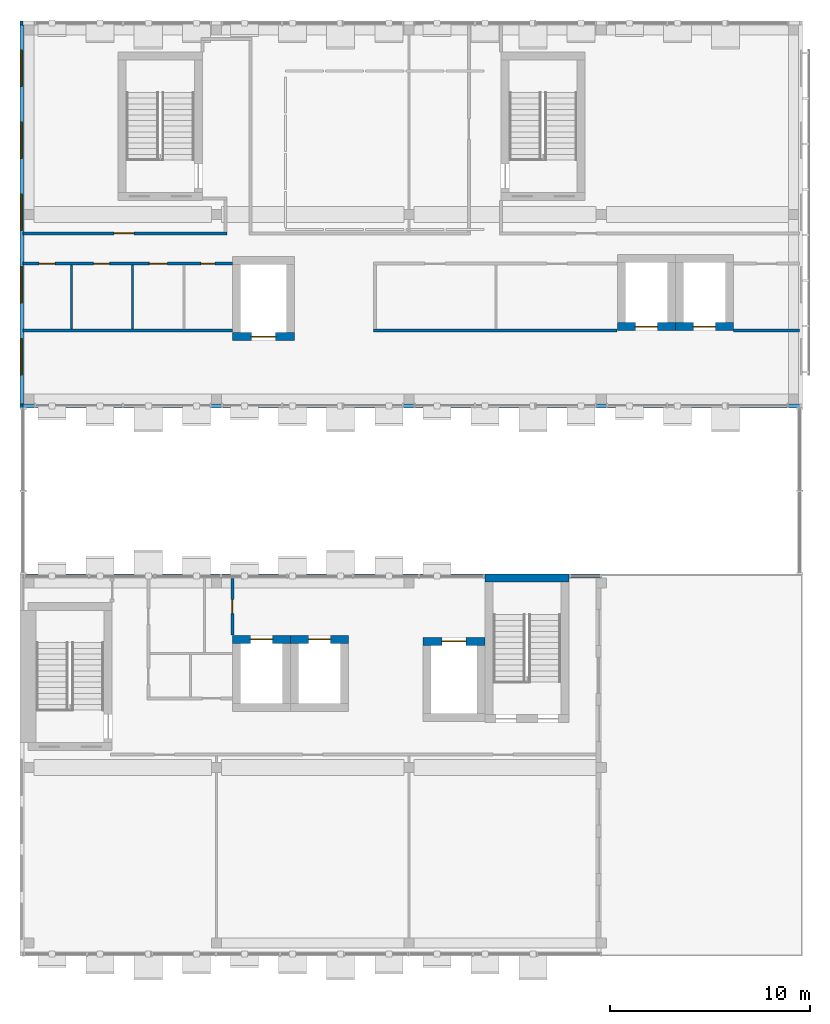
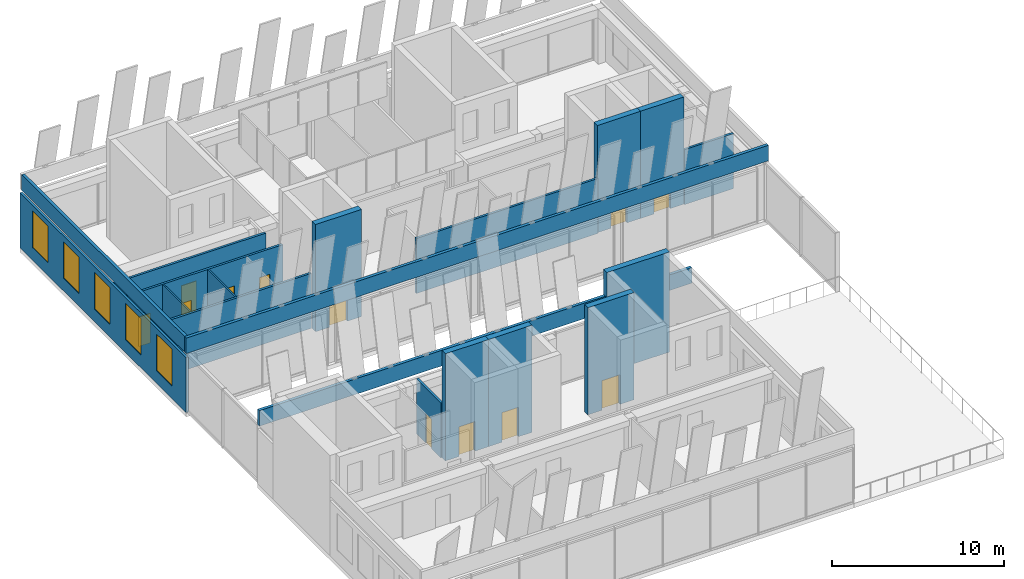
# One storey, part 18 of 26: 20 walls, 12 doors, 5 windows, 17 openings.
"""IFC4 building model written with IfcOpenShell, lengths in metres."""

from ifc_helpers import new_model, si_unit, direction, frame, frame_2d, origin, place, context, subcontext, project, spatial, rectangle, extrude, material, layer, layer_set, layer_usage, type_object, element, fill, save


model = new_model("IFC4")

# Units and contexts
model_context = context("Model", 3, precision=1e-05, world=origin(), true_north=direction((0.0, 1.0)))
body_context = subcontext(model_context, "Body", "Model", "MODEL_VIEW")
ifc_project = project(units=[si_unit("LENGTHUNIT", "METRE"), si_unit("AREAUNIT", "SQUARE_METRE"), si_unit("VOLUMEUNIT", "CUBIC_METRE"), si_unit("PLANEANGLEUNIT", "RADIAN"), si_unit("MASSUNIT", "GRAM", prefix="KILO")], contexts=[model_context])

# Site, building, storey
site_placement = place(None, origin())
site = spatial("IfcSite", under=ifc_project, at=site_placement, CompositionType="ELEMENT")
building_placement = place(site_placement, origin())
building = spatial("IfcBuilding", under=site, at=building_placement, Name="Nzadi Deep Aquarium and Research Tower", CompositionType="ELEMENT")
storey_placement = place(building_placement, frame((0.0, 0.0, 78.10009765625)))
storey = spatial("IfcBuildingStorey", under=building, at=storey_placement, Name="L16", CompositionType="ELEMENT", Elevation=78.10009765625)

# Wall, openings, windows
ifc_material_1 = material(Name="Graphite aluminium shingle", Category="aluminium")
ifc_layer_1 = layer(ifc_material_1, 0.0400390625, Category="cladding")
ifc_material_2 = material(Name="Concrete C35/45", Category="concrete")
ifc_layer_2 = layer(ifc_material_2, 0.06005859375, Category="cladding")
ifc_material_3 = material(Name="Mineral wool insulation")
ifc_layer_3 = layer(ifc_material_3, 0.050048828125, Category="insulation")
ifc_layer_set_1 = layer_set([ifc_layer_1, ifc_layer_2, ifc_layer_3], Name="Graphite aluminium shingle, Concrete C35/45, Mineral wool insulation")
ifc_layer_usage_1 = layer_usage(ifc_layer_set_1, "AXIS2", "POSITIVE", -0.074951171875)
wall_type_1 = type_object("IfcWallType", Name="End wall shingle over board-formed concrete 150", PredefinedType="ELEMENTEDWALL", material=ifc_layer_set_1)
wall_1_placement = place(storey_placement, frame((-0.12451171875, 46.449951171875, 0.0), z_axis=(0.0, 0.0, 1.0), x_axis=(0.0, -1.0, 0.0)))
wall_1 = element("IfcWall", 1, at=wall_1_placement, inside=storey, type_object=wall_type_1, material=ifc_layer_usage_1, Name="End wall blade B west L16", PredefinedType="ELEMENTEDWALL", context=body_context, shape_type="SweptSolid", body=[
    extrude(rectangle(XDim=19.300048828125, YDim=0.14990234375, at=frame_2d((9.64990234375, 0.0))), origin(), (0.0, 0.0, 1.0), 3.89990234375),
])
opening_1_placement = place(wall_1_placement, frame((15.85009765625, 0.0, 0.89990234375)))
opening_1 = element("IfcOpeningElement", 2, at=opening_1_placement, cuts=wall_1, Name="Opening WN01", PredefinedType="OPENING", context=body_context, shape_type="SweptSolid", body=[
    extrude(rectangle(XDim=1.800048828125, YDim=2.60009765625, at=frame_2d((0.89990234375, 1.300048828125))), frame((0.0, 0.0849609375, 0.0), z_axis=(0.0, -1.0, 0.0), x_axis=(1.0, 0.0, 0.0)), (0.0, 0.0, 1.0), 0.169921875),
])
opening_2_placement = place(wall_1_placement, frame((12.25, 0.0, 0.89990234375)))
opening_2 = element("IfcOpeningElement", 3, at=opening_2_placement, cuts=wall_1, Name="Opening WN01", PredefinedType="OPENING", context=body_context, shape_type="SweptSolid", body=[
    extrude(rectangle(XDim=1.800048828125, YDim=2.60009765625, at=frame_2d((0.89990234375, 1.300048828125))), frame((0.0, 0.0849609375, 0.0), z_axis=(0.0, -1.0, 0.0), x_axis=(1.0, 0.0, 0.0)), (0.0, 0.0, 1.0), 0.169921875),
])
opening_3_placement = place(wall_1_placement, frame((8.64990234375, 0.0, 0.89990234375)))
opening_3 = element("IfcOpeningElement", 4, at=opening_3_placement, cuts=wall_1, Name="Opening WN01", PredefinedType="OPENING", context=body_context, shape_type="SweptSolid", body=[
    extrude(rectangle(XDim=1.800048828125, YDim=2.60009765625, at=frame_2d((0.89990234375, 1.300048828125))), frame((0.0, 0.0849609375, 0.0), z_axis=(0.0, -1.0, 0.0), x_axis=(1.0, 0.0, 0.0)), (0.0, 0.0, 1.0), 0.169921875),
])
opening_4_placement = place(wall_1_placement, frame((5.050048828125, 0.0, 0.89990234375)))
opening_4 = element("IfcOpeningElement", 5, at=opening_4_placement, cuts=wall_1, Name="Opening WN01", PredefinedType="OPENING", context=body_context, shape_type="SweptSolid", body=[
    extrude(rectangle(XDim=1.800048828125, YDim=2.60009765625, at=frame_2d((0.89990234375, 1.300048828125))), frame((0.0, 0.0849609375, 0.0), z_axis=(0.0, -1.0, 0.0), x_axis=(1.0, 0.0, 0.0)), (0.0, 0.0, 1.0), 0.169921875),
])
opening_5_placement = place(wall_1_placement, frame((1.449951171875, 0.0, 0.89990234375)))
opening_5 = element("IfcOpeningElement", 6, at=opening_5_placement, cuts=wall_1, Name="Opening WN01", PredefinedType="OPENING", context=body_context, shape_type="SweptSolid", body=[
    extrude(rectangle(XDim=1.800048828125, YDim=2.60009765625, at=frame_2d((0.89990234375, 1.300048828125))), frame((0.0, 0.0849609375, 0.0), z_axis=(0.0, -1.0, 0.0), x_axis=(1.0, 0.0, 0.0)), (0.0, 0.0, 1.0), 0.169921875),
])
ifc_material_4 = material(Name="Aluminium window, sage tint glazing", Category="aluminium")
window_type = type_object("IfcWindowType", Name="Slot window 1800x2600 sill 900", PartitioningType="SINGLE_PANEL", PredefinedType="WINDOW", material=ifc_material_4)
window_1_placement = place(opening_1_placement, origin())
window_1 = element("IfcWindow", 7, at=window_1_placement, inside=storey, type_object=window_type, Name="Slot window L16 BW", OverallHeight=2.60009765625, OverallWidth=1.800048828125, PartitioningType="SINGLE_PANEL", PredefinedType="WINDOW", context=body_context, shape_type="SweptSolid", body=[
    extrude(rectangle(XDim=1.800048828125, YDim=2.60009765625, at=frame_2d((0.89990234375, 1.300048828125))), frame((0.0, 0.030029296875, 0.0), z_axis=(0.0, -1.0, 0.0), x_axis=(1.0, 0.0, 0.0)), (0.0, 0.0, 1.0), 0.06005859375),
])
fill(opening_1, window_1)
window_2_placement = place(opening_2_placement, origin())
window_2 = element("IfcWindow", 8, at=window_2_placement, inside=storey, type_object=window_type, Name="Slot window L16 BW", OverallHeight=2.60009765625, OverallWidth=1.800048828125, PartitioningType="SINGLE_PANEL", PredefinedType="WINDOW", context=body_context, shape_type="SweptSolid", body=[
    extrude(rectangle(XDim=1.800048828125, YDim=2.60009765625, at=frame_2d((0.89990234375, 1.300048828125))), frame((0.0, 0.030029296875, 0.0), z_axis=(0.0, -1.0, 0.0), x_axis=(1.0, 0.0, 0.0)), (0.0, 0.0, 1.0), 0.06005859375),
])
fill(opening_2, window_2)
window_3_placement = place(opening_3_placement, origin())
window_3 = element("IfcWindow", 9, at=window_3_placement, inside=storey, type_object=window_type, Name="Slot window L16 BW", OverallHeight=2.60009765625, OverallWidth=1.800048828125, PartitioningType="SINGLE_PANEL", PredefinedType="WINDOW", context=body_context, shape_type="SweptSolid", body=[
    extrude(rectangle(XDim=1.800048828125, YDim=2.60009765625, at=frame_2d((0.89990234375, 1.300048828125))), frame((0.0, 0.030029296875, 0.0), z_axis=(0.0, -1.0, 0.0), x_axis=(1.0, 0.0, 0.0)), (0.0, 0.0, 1.0), 0.06005859375),
])
fill(opening_3, window_3)
window_4_placement = place(opening_4_placement, origin())
window_4 = element("IfcWindow", 10, at=window_4_placement, inside=storey, type_object=window_type, Name="Slot window L16 BW", OverallHeight=2.60009765625, OverallWidth=1.800048828125, PartitioningType="SINGLE_PANEL", PredefinedType="WINDOW", context=body_context, shape_type="SweptSolid", body=[
    extrude(rectangle(XDim=1.800048828125, YDim=2.60009765625, at=frame_2d((0.89990234375, 1.300048828125))), frame((0.0, 0.030029296875, 0.0), z_axis=(0.0, -1.0, 0.0), x_axis=(1.0, 0.0, 0.0)), (0.0, 0.0, 1.0), 0.06005859375),
])
fill(opening_4, window_4)
window_5_placement = place(opening_5_placement, origin())
window_5 = element("IfcWindow", 11, at=window_5_placement, inside=storey, type_object=window_type, Name="Slot window L16 BW", OverallHeight=2.60009765625, OverallWidth=1.800048828125, PartitioningType="SINGLE_PANEL", PredefinedType="WINDOW", context=body_context, shape_type="SweptSolid", body=[
    extrude(rectangle(XDim=1.800048828125, YDim=2.60009765625, at=frame_2d((0.89990234375, 1.300048828125))), frame((0.0, 0.030029296875, 0.0), z_axis=(0.0, -1.0, 0.0), x_axis=(1.0, 0.0, 0.0)), (0.0, 0.0, 1.0), 0.06005859375),
])
fill(opening_5, window_5)

# Walls
ifc_layer_4 = layer(ifc_material_1, 0.050048828125, Category="cladding")
ifc_layer_5 = layer(ifc_material_2, 0.14990234375, Category="structure")
ifc_layer_set_2 = layer_set([ifc_layer_4, ifc_layer_5], Name="Graphite aluminium shingle, Concrete C35/45")
ifc_layer_usage_2 = layer_usage(ifc_layer_set_2, "AXIS2", "POSITIVE", -0.0999755859375)
wall_type_2 = type_object("IfcWallType", Name="Parapet board-formed concrete 200 tower roof", PredefinedType="PARAPET", material=ifc_layer_set_2)
wall_2_placement = place(storey_placement, frame((23.00048828125, 18.75, 4.199951171875), z_axis=(0.0, 0.0, 1.0), x_axis=(-1.0, 0.0, 0.0)))
element("IfcWall", 12, at=wall_2_placement, inside=storey, type_object=wall_type_2, material=ifc_layer_usage_2, Name="Parapet", PredefinedType="PARAPET", context=body_context, shape_type="SweptSolid", body=[
    extrude(rectangle(XDim=23.199951171875, YDim=0.199951171875, at=frame_2d((11.60009765625, 0.0))), origin(), (0.0, 0.0, 1.0), 1.099853515625),
])
ifc_layer_usage_3 = layer_usage(ifc_layer_set_2, "AXIS2", "POSITIVE", -0.0999755859375)
wall_3_placement = place(storey_placement, frame((28.800048828125, 18.75, 4.199951171875), z_axis=(0.0, 0.0, 1.0), x_axis=(-1.0, 0.0, 0.0)))
element("IfcWall", 13, at=wall_3_placement, inside=storey, type_object=wall_type_2, material=ifc_layer_usage_3, Name="Parapet", PredefinedType="PARAPET", context=body_context, shape_type="SweptSolid", body=[
    extrude(rectangle(XDim=1.60009765625, YDim=0.199951171875, at=frame_2d((0.800048828125, 0.0))), origin(), (0.0, 0.0, 1.0), 1.099853515625),
])
ifc_layer_usage_4 = layer_usage(ifc_layer_set_2, "AXIS2", "POSITIVE", -0.0999755859375)
wall_4_placement = place(storey_placement, frame((-0.199462890625, 27.25, 4.199951171875), z_axis=(0.0, 0.0, 1.0), x_axis=(1.0, 0.0, 0.0)))
element("IfcWall", 14, at=wall_4_placement, inside=storey, type_object=wall_type_2, material=ifc_layer_usage_4, Name="Parapet", PredefinedType="PARAPET", context=body_context, shape_type="SweptSolid", body=[
    extrude(rectangle(XDim=39.050048828125, YDim=0.199951171875, at=frame_2d((19.52490234375, 0.0))), origin(), (0.0, 0.0, 1.0), 1.099853515625),
])
ifc_layer_usage_5 = layer_usage(ifc_layer_set_2, "AXIS2", "POSITIVE", -0.0999755859375)
wall_5_placement = place(storey_placement, frame((-0.099365234375, 46.25, 4.199951171875), z_axis=(0.0, 0.0, 1.0), x_axis=(0.0, -1.0, 0.0)))
element("IfcWall", 15, at=wall_5_placement, inside=storey, type_object=wall_type_2, material=ifc_layer_usage_5, Name="Parapet", PredefinedType="PARAPET", context=body_context, shape_type="SweptSolid", body=[
    extrude(rectangle(XDim=18.89990234375, YDim=0.199951171875, at=frame_2d((9.449951171875, 0.0))), origin(), (0.0, 0.0, 1.0), 1.099853515625),
])
ifc_material_5 = material(Name="Blockwork masonry", Category="masonry")
ifc_layer_6 = layer(ifc_material_5, 0.10009765625)
ifc_layer_set_3 = layer_set([ifc_layer_6], Name="Blockwork masonry")
wall_type_3 = type_object("IfcWallType", Name="Partition 100 EI 30", PredefinedType="PARTITIONING", material=ifc_layer_set_3)
for number, where, z_axis, x_axis, name in (
    (16, (2.373291015625, 31.074951171875, 0.0), (0.0, 0.0, 1.0), (0.0, 1.0, 0.0), "W-Z1-L16-P004"),
    (17, (5.402099609375, 31.074951171875, 0.0), (0.0, 0.0, 1.0), (0.0, 1.0, 0.0), "W-Z1-L16-P007"),
):
    element("IfcWall", number, at=place(storey_placement, frame(where, z_axis=z_axis, x_axis=x_axis)), inside=storey, type_object=wall_type_3, Name=name, PredefinedType="PARTITIONING", context=body_context, shape_type="SweptSolid", body=[
        extrude(rectangle(XDim=3.199951171875, YDim=0.10009765625, at=frame_2d((1.60009765625, 0.0))), origin(), (0.0, 0.0, 1.0), 3.89990234375),
    ])
ifc_material_6 = material(Name="Blockwork masonry", Category="masonry")
ifc_layer_7 = layer(ifc_material_6, 0.14990234375)
ifc_layer_set_4 = layer_set([ifc_layer_7], Name="Blockwork masonry")
wall_type_4 = type_object("IfcWallType", Name="Partition 150 EI 60", PredefinedType="PARTITIONING", material=ifc_layer_set_4)
wall_6_placement = place(storey_placement, frame((-0.0439453125, 31.0, 0.0), z_axis=(0.0, 0.0, 1.0), x_axis=(1.0, 0.0, 0.0)))
element("IfcWall", 18, at=wall_6_placement, inside=storey, type_object=wall_type_4, Name="W-Z1-L16-P001", PredefinedType="PARTITIONING", context=body_context, shape_type="SweptSolid", body=[
    extrude(rectangle(XDim=10.43798828125, YDim=0.14990234375, at=frame_2d((5.218994140625, 0.0))), origin(), (0.0, 0.0, 1.0), 3.89990234375),
])

# Wall, openings, doors
wall_7_placement = place(storey_placement, frame((-0.0439453125, 34.35009765625, 0.0), z_axis=(0.0, 0.0, 1.0), x_axis=(1.0, 0.0, 0.0)))
wall_7 = element("IfcWall", 19, at=wall_7_placement, inside=storey, type_object=wall_type_4, Name="W-Z1-L16-P002", PredefinedType="PARTITIONING", context=body_context, shape_type="SweptSolid", body=[
    extrude(rectangle(XDim=10.43798828125, YDim=0.14990234375, at=frame_2d((5.218994140625, 0.0))), origin(), (0.0, 0.0, 1.0), 3.89990234375),
])
opening_6_placement = place(wall_7_placement, frame((0.7939453125, 0.0, 0.0)))
opening_6 = element("IfcOpeningElement", 20, at=opening_6_placement, cuts=wall_7, Name="Opening D171009", PredefinedType="OPENING", context=body_context, shape_type="SweptSolid", body=[
    extrude(rectangle(XDim=0.800048828125, YDim=2.10009765625, at=frame_2d((0.39990234375, 1.050048828125))), frame((0.0, 0.0849609375, 0.0), z_axis=(0.0, -1.0, 0.0), x_axis=(1.0, 0.0, 0.0)), (0.0, 0.0, 1.0), 0.169921875),
])
opening_7_placement = place(wall_7_placement, frame((3.51708984375, 0.0, 0.0)))
opening_7 = element("IfcOpeningElement", 21, at=opening_7_placement, cuts=wall_7, Name="Opening D171010", PredefinedType="OPENING", context=body_context, shape_type="SweptSolid", body=[
    extrude(rectangle(XDim=0.800048828125, YDim=2.10009765625, at=frame_2d((0.39990234375, 1.050048828125))), frame((0.0, 0.0849609375, 0.0), z_axis=(0.0, -1.0, 0.0), x_axis=(1.0, 0.0, 0.0)), (0.0, 0.0, 1.0), 0.169921875),
])
opening_8_placement = place(wall_7_placement, frame((6.2958984375, 0.0, 0.0)))
opening_8 = element("IfcOpeningElement", 22, at=opening_8_placement, cuts=wall_7, Name="Opening D171011", PredefinedType="OPENING", context=body_context, shape_type="SweptSolid", body=[
    extrude(rectangle(XDim=0.89990234375, YDim=2.10009765625, at=frame_2d((0.449951171875, 1.050048828125))), frame((0.0, 0.0849609375, 0.0), z_axis=(0.0, -1.0, 0.0), x_axis=(1.0, 0.0, 0.0)), (0.0, 0.0, 1.0), 0.169921875),
])
opening_9_placement = place(wall_7_placement, frame((8.87109375, 0.0, 0.0)))
opening_9 = element("IfcOpeningElement", 23, at=opening_9_placement, cuts=wall_7, Name="Opening D171012", PredefinedType="OPENING", context=body_context, shape_type="SweptSolid", body=[
    extrude(rectangle(XDim=0.699951171875, YDim=2.10009765625, at=frame_2d((0.35009765625, 1.050048828125))), frame((0.0, 0.0849609375, 0.0), z_axis=(0.0, -1.0, 0.0), x_axis=(1.0, 0.0, 0.0)), (0.0, 0.0, 1.0), 0.169921875),
])
ifc_material_7 = material(Name="Fire-rated steel door", Category="steel")
ifc_layer_8 = layer(ifc_material_7, 0.050048828125)
ifc_layer_set_5 = layer_set([ifc_layer_8], Name="Fire-rated steel door")
door_type_1 = type_object("IfcDoorType", Name="Door 700x2100 EI 60 single", OperationType="SINGLE_SWING_LEFT", PredefinedType="DOOR", material=ifc_layer_set_5)
door_1_placement = place(opening_9_placement, origin())
door_1 = element("IfcDoor", 24, at=door_1_placement, inside=storey, type_object=door_type_1, Name="D171012", OperationType="SINGLE_SWING_LEFT", OverallHeight=2.10009765625, OverallWidth=0.699951171875, PredefinedType="DOOR", context=body_context, shape_type="SweptSolid", body=[
    extrude(rectangle(XDim=0.699951171875, YDim=2.10009765625, at=frame_2d((0.35009765625, 1.050048828125))), frame((0.0, 0.02490234375, 0.0), z_axis=(0.0, -1.0, 0.0), x_axis=(1.0, 0.0, 0.0)), (0.0, 0.0, 1.0), 0.050048828125),
])
fill(opening_9, door_1)
ifc_material_8 = material(Name="Fire-rated steel door", Category="steel")
ifc_layer_9 = layer(ifc_material_8, 0.050048828125)
ifc_layer_set_6 = layer_set([ifc_layer_9], Name="Fire-rated steel door")
door_type_2 = type_object("IfcDoorType", Name="Door 800x2100 EI 60 single", OperationType="SINGLE_SWING_LEFT", PredefinedType="DOOR", material=ifc_layer_set_6)
door_2_placement = place(opening_6_placement, origin())
door_2 = element("IfcDoor", 25, at=door_2_placement, inside=storey, type_object=door_type_2, Name="D171009", OperationType="SINGLE_SWING_RIGHT", OverallHeight=2.10009765625, OverallWidth=0.800048828125, PredefinedType="DOOR", context=body_context, shape_type="SweptSolid", body=[
    extrude(rectangle(XDim=0.800048828125, YDim=2.10009765625, at=frame_2d((0.39990234375, 1.050048828125))), frame((0.0, 0.02490234375, 0.0), z_axis=(0.0, -1.0, 0.0), x_axis=(1.0, 0.0, 0.0)), (0.0, 0.0, 1.0), 0.050048828125),
])
fill(opening_6, door_2)
door_3_placement = place(opening_7_placement, origin())
door_3 = element("IfcDoor", 26, at=door_3_placement, inside=storey, type_object=door_type_2, Name="D171010", OperationType="SINGLE_SWING_LEFT", OverallHeight=2.10009765625, OverallWidth=0.800048828125, PredefinedType="DOOR", context=body_context, shape_type="SweptSolid", body=[
    extrude(rectangle(XDim=0.800048828125, YDim=2.10009765625, at=frame_2d((0.39990234375, 1.050048828125))), frame((0.0, 0.02490234375, 0.0), z_axis=(0.0, -1.0, 0.0), x_axis=(1.0, 0.0, 0.0)), (0.0, 0.0, 1.0), 0.050048828125),
])
fill(opening_7, door_3)
ifc_material_9 = material(Name="Fire-rated steel door", Category="steel")
ifc_layer_10 = layer(ifc_material_9, 0.050048828125)
ifc_layer_set_7 = layer_set([ifc_layer_10], Name="Fire-rated steel door")
door_type_3 = type_object("IfcDoorType", Name="Door 900x2100 EI 60 single", OperationType="SINGLE_SWING_LEFT", PredefinedType="DOOR", material=ifc_layer_set_7)
door_4_placement = place(opening_8_placement, origin())
door_4 = element("IfcDoor", 27, at=door_4_placement, inside=storey, type_object=door_type_3, Name="D171011", OperationType="SINGLE_SWING_RIGHT", OverallHeight=2.10009765625, OverallWidth=0.89990234375, PredefinedType="DOOR", context=body_context, shape_type="SweptSolid", body=[
    extrude(rectangle(XDim=0.89990234375, YDim=2.10009765625, at=frame_2d((0.449951171875, 1.050048828125))), frame((0.0, 0.02490234375, 0.0), z_axis=(0.0, -1.0, 0.0), x_axis=(1.0, 0.0, 0.0)), (0.0, 0.0, 1.0), 0.050048828125),
])
fill(opening_8, door_4)

# Wall, opening, door
wall_8_placement = place(storey_placement, frame((-0.0439453125, 35.85009765625, 0.0), z_axis=(0.0, 0.0, 1.0), x_axis=(1.0, 0.0, 0.0)))
wall_8 = element("IfcWall", 28, at=wall_8_placement, inside=storey, type_object=wall_type_4, Name="W-Z1-L16-P003", PredefinedType="PARTITIONING", context=body_context, shape_type="SweptSolid", body=[
    extrude(rectangle(XDim=10.1689453125, YDim=0.14990234375, at=frame_2d((5.08447265625, 0.0))), origin(), (0.0, 0.0, 1.0), 3.89990234375),
])
opening_10_placement = place(wall_8_placement, frame((4.5439453125, 0.0, 0.0)))
opening_10 = element("IfcOpeningElement", 29, at=opening_10_placement, cuts=wall_8, Name="Opening D171016", PredefinedType="OPENING", context=body_context, shape_type="SweptSolid", body=[
    extrude(rectangle(XDim=1.0, YDim=2.10009765625, at=frame_2d((0.5, 1.050048828125))), frame((0.0, 0.0849609375, 0.0), z_axis=(0.0, -1.0, 0.0), x_axis=(1.0, 0.0, 0.0)), (0.0, 0.0, 1.0), 0.169921875),
])
ifc_material_10 = material(Name="Fire-rated steel door", Category="steel")
ifc_layer_11 = layer(ifc_material_10, 0.050048828125)
ifc_layer_set_8 = layer_set([ifc_layer_11], Name="Fire-rated steel door")
door_type_4 = type_object("IfcDoorType", Name="Door 1000x2100 EI 60 single", OperationType="SINGLE_SWING_LEFT", PredefinedType="DOOR", material=ifc_layer_set_8)
door_5_placement = place(opening_10_placement, origin())
door_5 = element("IfcDoor", 30, at=door_5_placement, inside=storey, type_object=door_type_4, Name="D171016", OperationType="SINGLE_SWING_LEFT", OverallHeight=2.10009765625, OverallWidth=1.0, PredefinedType="DOOR", context=body_context, shape_type="SweptSolid", body=[
    extrude(rectangle(XDim=1.0, YDim=2.10009765625, at=frame_2d((0.5, 1.050048828125))), frame((0.0, 0.02490234375, 0.0), z_axis=(0.0, -1.0, 0.0), x_axis=(1.0, 0.0, 0.0)), (0.0, 0.0, 1.0), 0.050048828125),
])
fill(opening_10, door_5)

wall_9_placement = place(storey_placement, frame((10.39990234375, 15.805908203125, 0.0), z_axis=(0.0, 0.0, 1.0), x_axis=(0.0, 1.0, 0.0)))
wall_9 = element("IfcWall", 31, at=wall_9_placement, inside=storey, type_object=wall_type_4, Name="W-Z1-L16-P020", PredefinedType="PARTITIONING", context=body_context, shape_type="SweptSolid", body=[
    extrude(rectangle(XDim=2.838134765625, YDim=0.14990234375, at=frame_2d((1.4189453125, 0.0))), origin(), (0.0, 0.0, 1.0), 3.89990234375),
])
opening_11_placement = place(wall_9_placement, frame((1.073974609375, 0.0, 0.0)))
opening_11 = element("IfcOpeningElement", 32, at=opening_11_placement, cuts=wall_9, Name="Opening D171005", PredefinedType="OPENING", context=body_context, shape_type="SweptSolid", body=[
    extrude(rectangle(XDim=0.699951171875, YDim=2.10009765625, at=frame_2d((0.35009765625, 1.050048828125))), frame((0.0, 0.0849609375, 0.0), z_axis=(0.0, -1.0, 0.0), x_axis=(1.0, 0.0, 0.0)), (0.0, 0.0, 1.0), 0.169921875),
])
door_6_placement = place(opening_11_placement, origin())
door_6 = element("IfcDoor", 33, at=door_6_placement, inside=storey, type_object=door_type_1, Name="D171005", OperationType="SINGLE_SWING_LEFT", OverallHeight=2.10009765625, OverallWidth=0.699951171875, PredefinedType="DOOR", context=body_context, shape_type="SweptSolid", body=[
    extrude(rectangle(XDim=0.699951171875, YDim=2.10009765625, at=frame_2d((0.35009765625, 1.050048828125))), frame((0.0, 0.02490234375, 0.0), z_axis=(0.0, -1.0, 0.0), x_axis=(1.0, 0.0, 0.0)), (0.0, 0.0, 1.0), 0.050048828125),
])
fill(opening_11, door_6)

# Walls
wall_10_placement = place(storey_placement, frame((17.425048828125, 31.0, 0.0), z_axis=(0.0, 0.0, 1.0), x_axis=(1.0, 0.0, 0.0)))
element("IfcWall", 34, at=wall_10_placement, inside=storey, type_object=wall_type_4, Name="W-Z1-L16-P023", PredefinedType="PARTITIONING", context=body_context, shape_type="SweptSolid", body=[
    extrude(rectangle(XDim=12.1689453125, YDim=0.14990234375, at=frame_2d((6.08447265625, 0.0))), origin(), (0.0, 0.0, 1.0), 3.89990234375),
])
wall_11_placement = place(storey_placement, frame((35.406005859375, 31.0, 0.0), z_axis=(0.0, 0.0, 1.0), x_axis=(1.0, 0.0, 0.0)))
element("IfcWall", 35, at=wall_11_placement, inside=storey, type_object=wall_type_4, Name="W-Z1-L16-P035", PredefinedType="PARTITIONING", context=body_context, shape_type="SweptSolid", body=[
    extrude(rectangle(XDim=3.2880859375, YDim=0.14990234375, at=frame_2d((1.64404296875, 0.0))), origin(), (0.0, 0.0, 1.0), 3.89990234375),
])
ifc_material_11 = material(Name="Concrete C35/45", Category="concrete")
ifc_layer_12 = layer(ifc_material_11, 0.39990234375)
ifc_layer_set_9 = layer_set([ifc_layer_12], Name="Concrete C35/45")
wall_type_5 = type_object("IfcWallType", Name="RC core wall 400, 7.10 m high", PredefinedType="SHEAR", material=ifc_layer_set_9)
wall_12_placement = place(storey_placement, frame((23.0, 18.64990234375, 0.0), z_axis=(0.0, 0.0, 1.0), x_axis=(1.0, 0.0, 0.0)))
element("IfcWall", 36, at=wall_12_placement, inside=storey, type_object=wall_type_5, Name="W-CORE-ST-Z1-SE-L16-N", PredefinedType="SHEAR", context=body_context, shape_type="SweptSolid", body=[
    extrude(rectangle(XDim=4.199951171875, YDim=0.39990234375, at=frame_2d((2.10009765625, 0.0))), origin(), (0.0, 0.0, 1.0), 7.099853515625),
])

# Wall, opening, door
ifc_material_12 = material(Name="Concrete C35/45", Category="concrete")
ifc_layer_13 = layer(ifc_material_12, 0.39990234375)
ifc_layer_set_10 = layer_set([ifc_layer_13], Name="Concrete C35/45")
wall_type_6 = type_object("IfcWallType", Name="RC core wall 400, 7.50 to 7.70 m high", PredefinedType="SHEAR", material=ifc_layer_set_10)
wall_13_placement = place(storey_placement, frame((10.39990234375, 15.60009765625, 0.0), z_axis=(0.0, 0.0, 1.0), x_axis=(1.0, 0.0, 0.0)))
wall_13 = element("IfcWall", 37, at=wall_13_placement, inside=storey, type_object=wall_type_6, Name="W-CORE-TL1-L16-N", PredefinedType="SHEAR", context=body_context, shape_type="SweptSolid", body=[
    extrude(rectangle(XDim=2.900146484375, YDim=0.39990234375, at=frame_2d((1.4501953125, 0.0))), origin(), (0.0, 0.0, 1.0), 7.599853515625),
])
opening_12_placement = place(wall_13_placement, frame((0.89990234375, 0.0, 0.0)))
opening_12 = element("IfcOpeningElement", 38, at=opening_12_placement, cuts=wall_13, Name="Opening LD-TL1-L16", PredefinedType="OPENING", context=body_context, shape_type="SweptSolid", body=[
    extrude(rectangle(XDim=1.10009765625, YDim=2.10009765625, at=frame_2d((0.550048828125, 1.050048828125))), frame((0.0, 0.2099609375, 0.0), z_axis=(0.0, -1.0, 0.0), x_axis=(1.0, 0.0, 0.0)), (0.0, 0.0, 1.0), 0.419921875),
])
ifc_material_13 = material(Name="Stainless steel 1.4301", Category="steel")
door_type_5 = type_object("IfcDoorType", Name="LANDING DOOR 1100x2100", OperationType="DOUBLE_DOOR_SLIDING", PredefinedType="DOOR", material=ifc_material_13)
door_7_placement = place(opening_12_placement, origin())
door_7 = element("IfcDoor", 39, at=door_7_placement, inside=storey, type_object=door_type_5, Name="Landing door TL1 L16", OperationType="DOUBLE_DOOR_SLIDING", OverallHeight=2.10009765625, OverallWidth=1.10009765625, PredefinedType="DOOR", context=body_context, shape_type="SweptSolid", body=[
    extrude(rectangle(XDim=1.10009765625, YDim=2.10009765625, at=frame_2d((0.550048828125, 1.050048828125))), frame((0.0, 0.02490234375, 0.0), z_axis=(0.0, -1.0, 0.0), x_axis=(1.0, 0.0, 0.0)), (0.0, 0.0, 1.0), 0.050048828125),
])
fill(opening_12, door_7)

wall_14_placement = place(storey_placement, frame((13.300048828125, 15.60009765625, 0.0), z_axis=(0.0, 0.0, 1.0), x_axis=(1.0, 0.0, 0.0)))
wall_14 = element("IfcWall", 40, at=wall_14_placement, inside=storey, type_object=wall_type_6, Name="W-CORE-TL2-L16-N", PredefinedType="SHEAR", context=body_context, shape_type="SweptSolid", body=[
    extrude(rectangle(XDim=2.89990234375, YDim=0.39990234375, at=frame_2d((1.449951171875, 0.0))), origin(), (0.0, 0.0, 1.0), 7.599853515625),
])
opening_13_placement = place(wall_14_placement, frame((0.89990234375, 0.0, 0.0)))
opening_13 = element("IfcOpeningElement", 41, at=opening_13_placement, cuts=wall_14, Name="Opening LD-TL2-L16", PredefinedType="OPENING", context=body_context, shape_type="SweptSolid", body=[
    extrude(rectangle(XDim=1.10009765625, YDim=2.10009765625, at=frame_2d((0.550048828125, 1.050048828125))), frame((0.0, 0.2099609375, 0.0), z_axis=(0.0, -1.0, 0.0), x_axis=(1.0, 0.0, 0.0)), (0.0, 0.0, 1.0), 0.419921875),
])
door_8_placement = place(opening_13_placement, origin())
door_8 = element("IfcDoor", 42, at=door_8_placement, inside=storey, type_object=door_type_5, Name="Landing door TL2 L16", OperationType="DOUBLE_DOOR_SLIDING", OverallHeight=2.10009765625, OverallWidth=1.10009765625, PredefinedType="DOOR", context=body_context, shape_type="SweptSolid", body=[
    extrude(rectangle(XDim=1.10009765625, YDim=2.10009765625, at=frame_2d((0.550048828125, 1.050048828125))), frame((0.0, 0.02490234375, 0.0), z_axis=(0.0, -1.0, 0.0), x_axis=(1.0, 0.0, 0.0)), (0.0, 0.0, 1.0), 0.050048828125),
])
fill(opening_13, door_8)

wall_15_placement = place(storey_placement, frame((19.89990234375, 15.5, 0.0), z_axis=(0.0, 0.0, 1.0), x_axis=(1.0, 0.0, 0.0)))
wall_15 = element("IfcWall", 43, at=wall_15_placement, inside=storey, type_object=wall_type_6, Name="W-CORE-FL1-L16-N", PredefinedType="SHEAR", context=body_context, shape_type="SweptSolid", body=[
    extrude(rectangle(XDim=3.10009765625, YDim=0.39990234375, at=frame_2d((1.550048828125, 0.0))), origin(), (0.0, 0.0, 1.0), 7.599853515625),
])
opening_14_placement = place(wall_15_placement, frame((0.949951171875, 0.0, 0.0)))
opening_14 = element("IfcOpeningElement", 44, at=opening_14_placement, cuts=wall_15, Name="Opening LD-FL1-L16", PredefinedType="OPENING", context=body_context, shape_type="SweptSolid", body=[
    extrude(rectangle(XDim=1.199951171875, YDim=2.10009765625, at=frame_2d((0.60009765625, 1.050048828125))), frame((0.0, 0.2099609375, 0.0), z_axis=(0.0, -1.0, 0.0), x_axis=(1.0, 0.0, 0.0)), (0.0, 0.0, 1.0), 0.419921875),
])
ifc_material_14 = material(Name="Stainless steel 1.4301", Category="steel")
door_type_6 = type_object("IfcDoorType", Name="LANDING DOOR 1200x2100", OperationType="DOUBLE_DOOR_SLIDING", PredefinedType="DOOR", material=ifc_material_14)
door_9_placement = place(opening_14_placement, origin())
door_9 = element("IfcDoor", 45, at=door_9_placement, inside=storey, type_object=door_type_6, Name="Landing door FL1 L16", OperationType="DOUBLE_DOOR_SLIDING", OverallHeight=2.10009765625, OverallWidth=1.199951171875, PredefinedType="DOOR", context=body_context, shape_type="SweptSolid", body=[
    extrude(rectangle(XDim=1.199951171875, YDim=2.10009765625, at=frame_2d((0.60009765625, 1.050048828125))), frame((0.0, 0.02490234375, 0.0), z_axis=(0.0, -1.0, 0.0), x_axis=(1.0, 0.0, 0.0)), (0.0, 0.0, 1.0), 0.050048828125),
])
fill(opening_14, door_9)

wall_16_placement = place(storey_placement, frame((10.39990234375, 30.699951171875, 0.0), z_axis=(0.0, 0.0, 1.0), x_axis=(1.0, 0.0, 0.0)))
wall_16 = element("IfcWall", 46, at=wall_16_placement, inside=storey, type_object=wall_type_6, Name="W-CORE-FL2-L16-S", PredefinedType="SHEAR", context=body_context, shape_type="SweptSolid", body=[
    extrude(rectangle(XDim=3.10009765625, YDim=0.39990234375, at=frame_2d((1.550048828125, 0.0))), origin(), (0.0, 0.0, 1.0), 7.599853515625),
])
opening_15_placement = place(wall_16_placement, frame((0.949951171875, 0.0, 0.0)))
opening_15 = element("IfcOpeningElement", 47, at=opening_15_placement, cuts=wall_16, Name="Opening LD-FL2-L16", PredefinedType="OPENING", context=body_context, shape_type="SweptSolid", body=[
    extrude(rectangle(XDim=1.199951171875, YDim=2.10009765625, at=frame_2d((0.60009765625, 1.050048828125))), frame((0.0, 0.2099609375, 0.0), z_axis=(0.0, -1.0, 0.0), x_axis=(1.0, 0.0, 0.0)), (0.0, 0.0, 1.0), 0.419921875),
])
door_10_placement = place(opening_15_placement, origin())
door_10 = element("IfcDoor", 48, at=door_10_placement, inside=storey, type_object=door_type_6, Name="Landing door FL2 L16", OperationType="DOUBLE_DOOR_SLIDING", OverallHeight=2.10009765625, OverallWidth=1.199951171875, PredefinedType="DOOR", context=body_context, shape_type="SweptSolid", body=[
    extrude(rectangle(XDim=1.199951171875, YDim=2.10009765625, at=frame_2d((0.60009765625, 1.050048828125))), frame((0.0, 0.02490234375, 0.0), z_axis=(0.0, -1.0, 0.0), x_axis=(1.0, 0.0, 0.0)), (0.0, 0.0, 1.0), 0.050048828125),
])
fill(opening_15, door_10)

wall_17_placement = place(storey_placement, frame((29.60009765625, 31.199951171875, 0.0), z_axis=(0.0, 0.0, 1.0), x_axis=(1.0, 0.0, 0.0)))
wall_17 = element("IfcWall", 49, at=wall_17_placement, inside=storey, type_object=wall_type_6, Name="W-CORE-TL3-L16-S", PredefinedType="SHEAR", context=body_context, shape_type="SweptSolid", body=[
    extrude(rectangle(XDim=2.89990234375, YDim=0.39990234375, at=frame_2d((1.449951171875, 0.0))), origin(), (0.0, 0.0, 1.0), 7.599853515625),
])
opening_16_placement = place(wall_17_placement, frame((0.89990234375, 0.0, 0.0)))
opening_16 = element("IfcOpeningElement", 50, at=opening_16_placement, cuts=wall_17, Name="Opening LD-TL3-L16", PredefinedType="OPENING", context=body_context, shape_type="SweptSolid", body=[
    extrude(rectangle(XDim=1.10009765625, YDim=2.10009765625, at=frame_2d((0.550048828125, 1.050048828125))), frame((0.0, 0.2099609375, 0.0), z_axis=(0.0, -1.0, 0.0), x_axis=(1.0, 0.0, 0.0)), (0.0, 0.0, 1.0), 0.419921875),
])
door_11_placement = place(opening_16_placement, origin())
door_11 = element("IfcDoor", 51, at=door_11_placement, inside=storey, type_object=door_type_5, Name="Landing door TL3 L16", OperationType="DOUBLE_DOOR_SLIDING", OverallHeight=2.10009765625, OverallWidth=1.10009765625, PredefinedType="DOOR", context=body_context, shape_type="SweptSolid", body=[
    extrude(rectangle(XDim=1.10009765625, YDim=2.10009765625, at=frame_2d((0.550048828125, 1.050048828125))), frame((0.0, 0.02490234375, 0.0), z_axis=(0.0, -1.0, 0.0), x_axis=(1.0, 0.0, 0.0)), (0.0, 0.0, 1.0), 0.050048828125),
])
fill(opening_16, door_11)

wall_18_placement = place(storey_placement, frame((32.5, 31.199951171875, 0.0), z_axis=(0.0, 0.0, 1.0), x_axis=(1.0, 0.0, 0.0)))
wall_18 = element("IfcWall", 52, at=wall_18_placement, inside=storey, type_object=wall_type_6, Name="W-CORE-TL4-L16-S", PredefinedType="SHEAR", context=body_context, shape_type="SweptSolid", body=[
    extrude(rectangle(XDim=2.89990234375, YDim=0.39990234375, at=frame_2d((1.449951171875, 0.0))), origin(), (0.0, 0.0, 1.0), 7.599853515625),
])
opening_17_placement = place(wall_18_placement, frame((0.89990234375, 0.0, 0.0)))
opening_17 = element("IfcOpeningElement", 53, at=opening_17_placement, cuts=wall_18, Name="Opening LD-TL4-L16", PredefinedType="OPENING", context=body_context, shape_type="SweptSolid", body=[
    extrude(rectangle(XDim=1.10009765625, YDim=2.10009765625, at=frame_2d((0.550048828125, 1.050048828125))), frame((0.0, 0.2099609375, 0.0), z_axis=(0.0, -1.0, 0.0), x_axis=(1.0, 0.0, 0.0)), (0.0, 0.0, 1.0), 0.419921875),
])
door_12_placement = place(opening_17_placement, origin())
door_12 = element("IfcDoor", 54, at=door_12_placement, inside=storey, type_object=door_type_5, Name="Landing door TL4 L16", OperationType="DOUBLE_DOOR_SLIDING", OverallHeight=2.10009765625, OverallWidth=1.10009765625, PredefinedType="DOOR", context=body_context, shape_type="SweptSolid", body=[
    extrude(rectangle(XDim=1.10009765625, YDim=2.10009765625, at=frame_2d((0.550048828125, 1.050048828125))), frame((0.0, 0.02490234375, 0.0), z_axis=(0.0, -1.0, 0.0), x_axis=(1.0, 0.0, 0.0)), (0.0, 0.0, 1.0), 0.050048828125),
])
fill(opening_17, door_12)

save(model, "model.ifc")
